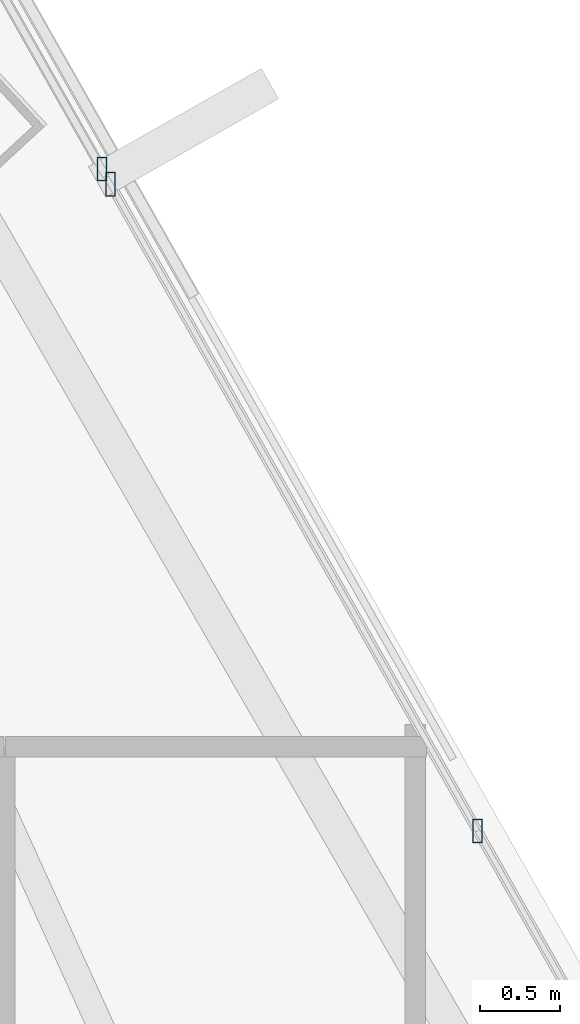
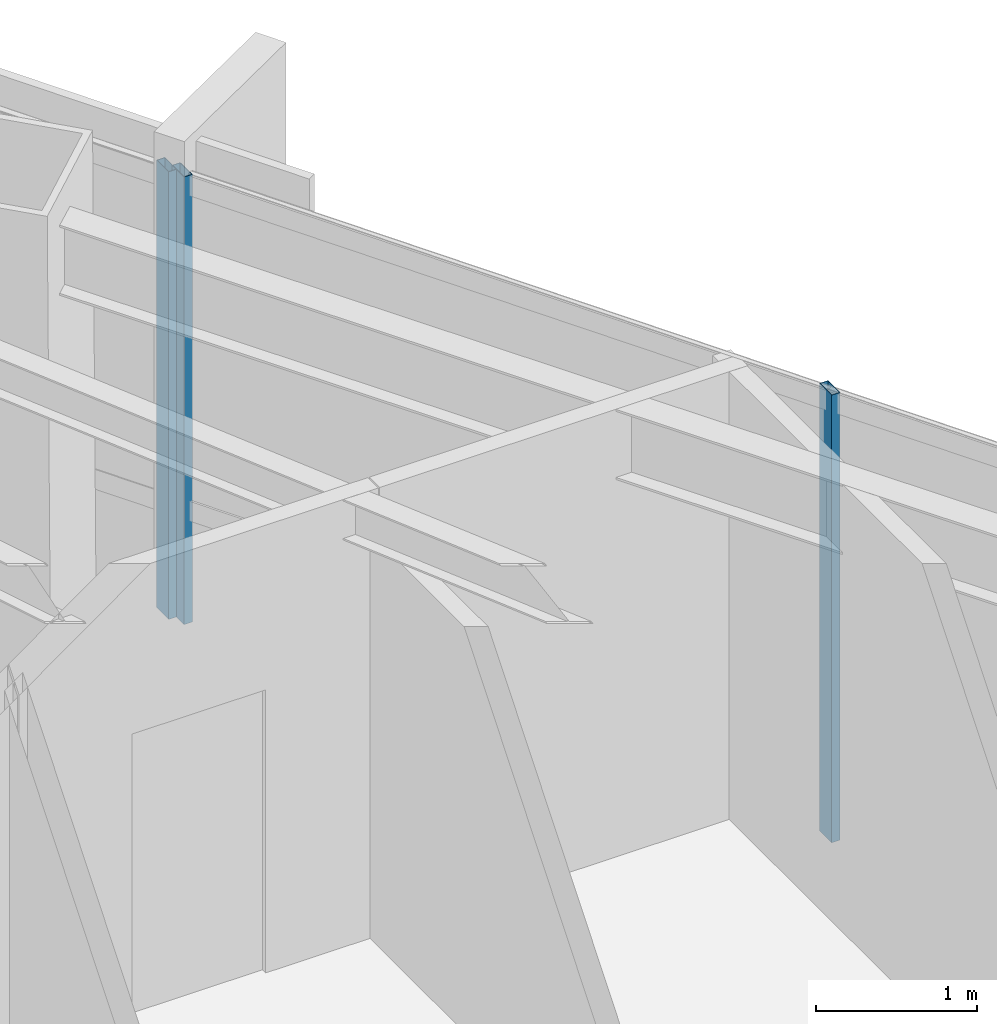
# One storey, part 23 of 42: 3 members, 2 elements without a shape of their own.
"""IFC4 building model written with IfcOpenShell, lengths in metres."""

from ifc_helpers import new_model, si_unit, direction, frame, origin, origin_2d, place, context, subcontext, project, spatial, hollow_rectangle, extrude, source, transform, mapped, material, material_profile, profile_set, type_object, type_shapes, element, aggregate, save


model = new_model("IFC4")

# Units and contexts
model_context = context("Model", 3, precision=1e-05, world=origin(), true_north=direction((0.0, 1.0)))
body_context = subcontext(model_context, "Body", "Model", "MODEL_VIEW")
ifc_project = project(units=[si_unit("LENGTHUNIT", "METRE"), si_unit("AREAUNIT", "SQUARE_METRE"), si_unit("VOLUMEUNIT", "CUBIC_METRE"), si_unit("PLANEANGLEUNIT", "RADIAN"), si_unit("MASSUNIT", "GRAM", prefix="KILO")], contexts=[model_context])

# Site, building, storey
site_placement = place(None, origin())
site = spatial("IfcSite", under=ifc_project, at=site_placement, CompositionType="ELEMENT")
building_placement = place(site_placement, origin())
building = spatial("IfcBuilding", under=site, at=building_placement, Name="Caelisora Broadcast Tower", CompositionType="ELEMENT")
storey_placement = place(building_placement, frame((0.0, 0.0, 131.800048828125)))
storey = spatial("IfcBuildingStorey", under=building, at=storey_placement, Name="L34", CompositionType="ELEMENT", Elevation=131.800048828125)

# Curtain wall, member
ifc_material_1 = material(Name="Unitised Aluminium Insulated Shadow-Box Spandrel Curtain Wall", Category="aluminium")
curtain_wall_type_1 = type_object("IfcCurtainWallType", Name="CW-SP2", PredefinedType="NOTDEFINED", material=ifc_material_1)
curtain_wall_1_placement = place(storey_placement, origin())
curtain_wall_1 = element("IfcCurtainWall", 1, at=curtain_wall_1_placement, inside=storey, type_object=curtain_wall_type_1, Name="L34 curtain wall CW-SP2", PredefinedType="NOTDEFINED")
ifc_material_2 = material(Name="Aluminium 6063-T6 Anodised Terracotta Bronze", Category="aluminium")
ifc_material_profile = material_profile(ifc_material_2, hollow_rectangle(XDim=0.06005859375, YDim=0.14990234375, WallThickness=0.00341796875, at=origin_2d()), Name="Aluminium 6063-T6 Anodised Terracotta Bronze")
ifc_profile_set = profile_set([ifc_material_profile], Name="Aluminium 6063-T6 Anodised Terracotta Bronze")
member_type = type_object("IfcMemberType", Name="CWM-03", PredefinedType="MULLION", material=ifc_profile_set)
shared_shape = source(origin(), body_context, "Body", "SweptSolid", [
    extrude(hollow_rectangle(XDim=0.06005859375, YDim=0.14990234375, WallThickness=0.00341796875, at=origin_2d()), origin(), (0.0, 0.0, 1.0), 3.39990234375),
])
type_shapes(member_type, [shared_shape])
member_1_placement = place(storey_placement, frame((56.52978515625, 27.630615234375, 0.0), z_axis=(0.0, 0.0, 1.0), x_axis=(1.0, 0.0, 0.0)))
member_1 = element("IfcMember", 2, at=member_1_placement, type_object=member_type, Name="L34-CW-B02 mullion #3", PredefinedType="MULLION", context=body_context, shape_type="MappedRepresentation", body=[
    mapped(shared_shape, transform((0.0, 0.0, 0.0), scale=1.0)),
])
aggregate(curtain_wall_1, [member_1])

# Curtain wall, members
ifc_material_3 = material(Name="Unitised Aluminium and Low-E Glass Curtain Wall", Category="glass")
curtain_wall_type_2 = type_object("IfcCurtainWallType", Name="CW-Z3", PredefinedType="NOTDEFINED", material=ifc_material_3)
curtain_wall_2_placement = place(storey_placement, origin())
curtain_wall_2 = element("IfcCurtainWall", 3, at=curtain_wall_2_placement, inside=storey, type_object=curtain_wall_type_2, Name="L34 curtain wall CW-Z3", PredefinedType="NOTDEFINED")
member_2_placement = place(storey_placement, frame((56.583984375, 27.534912109375, 0.0), z_axis=(0.0, 0.0, 1.0), x_axis=(1.0, 0.0, 0.0)))
member_2 = element("IfcMember", 4, at=member_2_placement, type_object=member_type, Name="L34-CW-B03 mullion #0", PredefinedType="MULLION", context=body_context, shape_type="MappedRepresentation", body=[
    mapped(shared_shape, transform((0.0, 0.0, 0.0), scale=1.0)),
])
member_3_placement = place(storey_placement, frame((58.890869140625, 23.470947265625, 0.0), z_axis=(0.0, 0.0, 1.0), x_axis=(1.0, 0.0, 0.0)))
member_3 = element("IfcMember", 5, at=member_3_placement, type_object=member_type, Name="L34-CW-B03 mullion #1", PredefinedType="MULLION", context=body_context, shape_type="MappedRepresentation", body=[
    mapped(shared_shape, transform((0.0, 0.0, 0.0), scale=1.0)),
])
aggregate(curtain_wall_2, [member_2, member_3])

save(model, "model.ifc")
